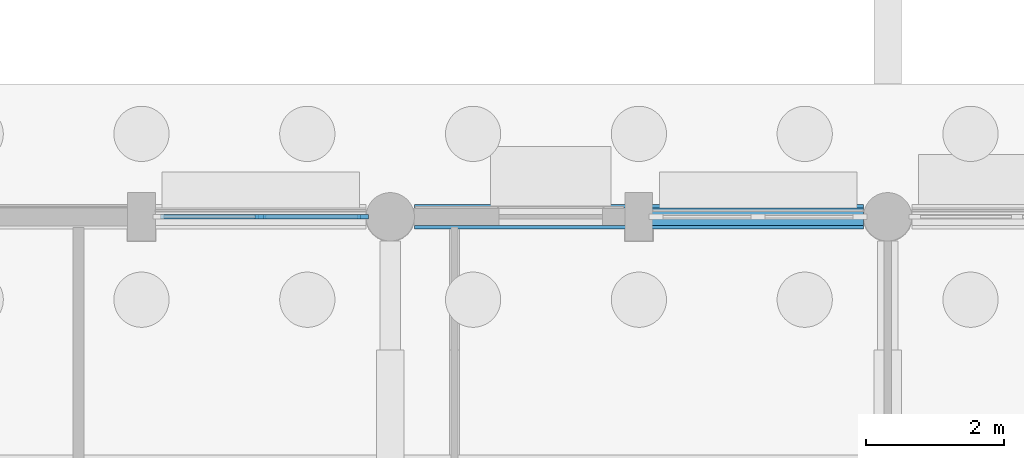
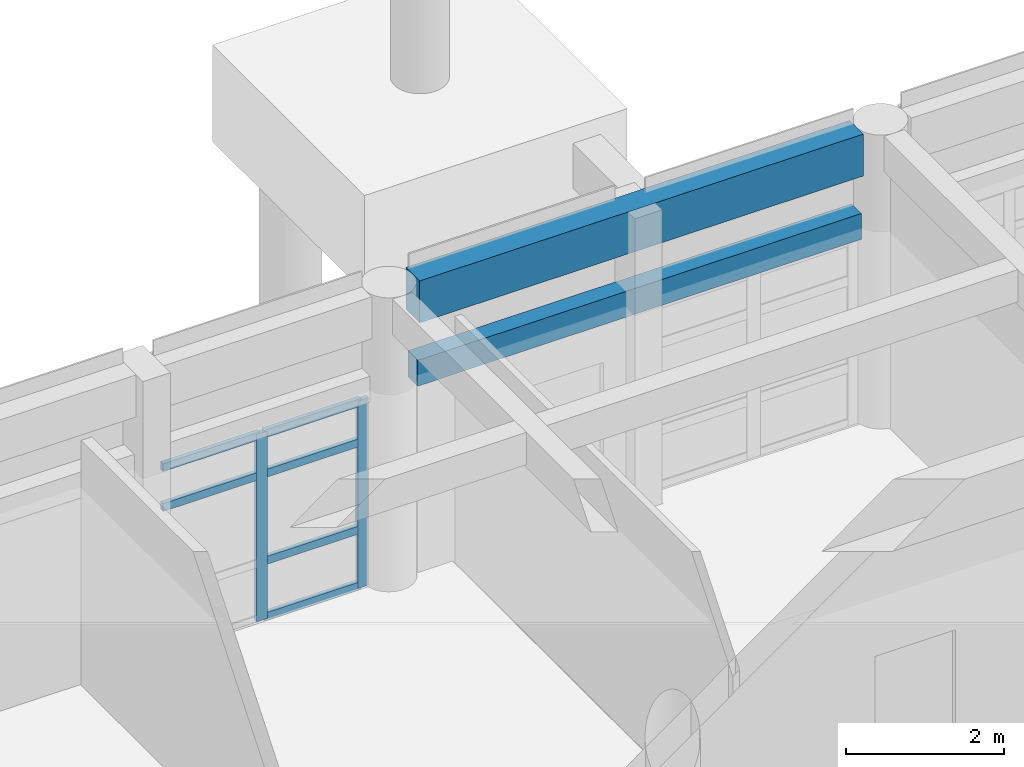
# One storey, part 29 of 103: 8 members, 2 beams, 1 element without a shape of its own.
"""IFC4 building model written with IfcOpenShell, lengths in metres."""

from ifc_helpers import new_model, si_unit, direction, frame, origin, origin_2d, place, context, subcontext, project, spatial, rectangle, extrude, material, layer, layer_set, material_profile, profile_set, type_object, element, aggregate, save


model = new_model("IFC4")

# Units and contexts
model_context = context("Model", 3, precision=1e-05, world=origin(), true_north=direction((0.0, 1.0)))
body_context = subcontext(model_context, "Body", "Model", "MODEL_VIEW")
ifc_project = project(units=[si_unit("LENGTHUNIT", "METRE"), si_unit("AREAUNIT", "SQUARE_METRE"), si_unit("VOLUMEUNIT", "CUBIC_METRE"), si_unit("PLANEANGLEUNIT", "RADIAN"), si_unit("MASSUNIT", "GRAM", prefix="KILO")], contexts=[model_context])

# Site, building, storey
site_placement = place(None, origin())
site = spatial("IfcSite", under=ifc_project, at=site_placement, CompositionType="ELEMENT")
building_placement = place(site_placement, origin())
building = spatial("IfcBuilding", under=site, at=building_placement, Name="Namkhue Oval Health Centre", CompositionType="ELEMENT")
storey_placement = place(building_placement, origin())
storey = spatial("IfcBuildingStorey", under=building, at=storey_placement, Name="L00", CompositionType="ELEMENT", Elevation=0.0)

# Curtain wall, members
ifc_material_1 = material(Name="Anodised aluminium EN AW-6063 T6", Category="aluminium")
ifc_layer = layer(ifc_material_1, 0.159912109375)
ifc_layer_set = layer_set([ifc_layer], Name="Anodised aluminium EN AW-6063 T6")
curtain_wall_type = type_object("IfcCurtainWallType", Name="UNITISED CURTAIN WALL M1800", PredefinedType="NOTDEFINED", material=ifc_layer_set)
curtain_wall_placement = place(storey_placement, origin())
curtain_wall = element("IfcCurtainWall", 1, at=curtain_wall_placement, inside=storey, type_object=curtain_wall_type, Name="Volume V2 L00 Unitised Curtain Wall 41", PredefinedType="NOTDEFINED")
ifc_material_profile_1 = material_profile(ifc_material_1, rectangle(XDim=0.06494140625, YDim=0.159912109375, at=origin_2d()), Name="ALU 65x160")
ifc_profile_set_1 = profile_set([ifc_material_profile_1], Name="Anodised aluminium EN AW-6063 T6")
member_type_1 = type_object("IfcMemberType", Name="CURTAIN WALL MULLION 65X160", PredefinedType="MULLION", material=ifc_profile_set_1)
member_1_placement = place(storey_placement, frame((64.407470703125, 104.39990234375, 0.0), z_axis=(0.0, 0.0, 1.0), x_axis=(0.0, -1.0, 0.0)))
member_1 = element("IfcMember", 2, at=member_1_placement, type_object=member_type_1, Name="CW-05 mullion 1", PredefinedType="MULLION", context=body_context, shape_type="SweptSolid", body=[
    extrude(rectangle(XDim=0.06494140625, YDim=0.159912109375, at=origin_2d()), origin(), (0.0, 0.0, 1.0), 2.89990234375),
])
member_2_placement = place(storey_placement, frame((62.925537109375, 104.39990234375, 0.0), z_axis=(0.0, 0.0, 1.0), x_axis=(0.0, -1.0, 0.0)))
member_2 = element("IfcMember", 3, at=member_2_placement, type_object=member_type_1, Name="CW-05 mullion 2", PredefinedType="MULLION", context=body_context, shape_type="SweptSolid", body=[
    extrude(rectangle(XDim=0.06494140625, YDim=0.159912109375, at=origin_2d()), origin(), (0.0, 0.0, 1.0), 2.89990234375),
])
ifc_material_profile_2 = material_profile(ifc_material_1, rectangle(XDim=0.06494140625, YDim=0.1201171875, at=origin_2d()), Name="ALU 65x120")
ifc_profile_set_2 = profile_set([ifc_material_profile_2], Name="Anodised aluminium EN AW-6063 T6")
member_type_2 = type_object("IfcMemberType", Name="CURTAIN WALL TRANSOM 65X120", PredefinedType="USERDEFINED", material=ifc_profile_set_2)
member_3_placement = place(storey_placement, frame((64.375, 104.39990234375, 0.032470703125), z_axis=(-1.0, 0.0, 0.0), x_axis=(0.0, -1.0, 0.0)))
member_3 = element("IfcMember", 4, at=member_3_placement, type_object=member_type_2, Name="CW-05 transom 1.1", ObjectType="TRANSOM", PredefinedType="USERDEFINED", context=body_context, shape_type="SweptSolid", body=[
    extrude(rectangle(XDim=0.06494140625, YDim=0.1201171875, at=origin_2d()), origin(), (0.0, 0.0, 1.0), 1.4169921875),
])
member_4_placement = place(storey_placement, frame((64.375, 104.39990234375, 0.89990234375), z_axis=(-1.0, 0.0, 0.0), x_axis=(0.0, -1.0, 0.0)))
member_4 = element("IfcMember", 5, at=member_4_placement, type_object=member_type_2, Name="CW-05 transom 1.2", ObjectType="TRANSOM", PredefinedType="USERDEFINED", context=body_context, shape_type="SweptSolid", body=[
    extrude(rectangle(XDim=0.06494140625, YDim=0.1201171875, at=origin_2d()), origin(), (0.0, 0.0, 1.0), 1.4169921875),
])
member_5_placement = place(storey_placement, frame((64.375, 104.39990234375, 2.25), z_axis=(-1.0, 0.0, 0.0), x_axis=(0.0, -1.0, 0.0)))
member_5 = element("IfcMember", 6, at=member_5_placement, type_object=member_type_2, Name="CW-05 transom 1.3", ObjectType="TRANSOM", PredefinedType="USERDEFINED", context=body_context, shape_type="SweptSolid", body=[
    extrude(rectangle(XDim=0.06494140625, YDim=0.1201171875, at=origin_2d()), origin(), (0.0, 0.0, 1.0), 1.4169921875),
])
member_6_placement = place(storey_placement, frame((64.375, 104.39990234375, 2.867431640625), z_axis=(-1.0, 0.0, 0.0), x_axis=(0.0, -1.0, 0.0)))
member_6 = element("IfcMember", 7, at=member_6_placement, type_object=member_type_2, Name="CW-05 transom 1.4", ObjectType="TRANSOM", PredefinedType="USERDEFINED", context=body_context, shape_type="SweptSolid", body=[
    extrude(rectangle(XDim=0.06494140625, YDim=0.1201171875, at=origin_2d()), origin(), (0.0, 0.0, 1.0), 1.4169921875),
])
member_7_placement = place(storey_placement, frame((62.89306640625, 104.39990234375, 2.25), z_axis=(-1.0, 0.0, 0.0), x_axis=(0.0, -1.0, 0.0)))
member_7 = element("IfcMember", 8, at=member_7_placement, type_object=member_type_2, Name="CW-05 transom 2.3", ObjectType="TRANSOM", PredefinedType="USERDEFINED", context=body_context, shape_type="SweptSolid", body=[
    extrude(rectangle(XDim=0.06494140625, YDim=0.1201171875, at=origin_2d()), origin(), (0.0, 0.0, 1.0), 1.4169921875),
])
member_8_placement = place(storey_placement, frame((62.89306640625, 104.39990234375, 2.867431640625), z_axis=(-1.0, 0.0, 0.0), x_axis=(0.0, -1.0, 0.0)))
member_8 = element("IfcMember", 9, at=member_8_placement, type_object=member_type_2, Name="CW-05 transom 2.4", ObjectType="TRANSOM", PredefinedType="USERDEFINED", context=body_context, shape_type="SweptSolid", body=[
    extrude(rectangle(XDim=0.06494140625, YDim=0.1201171875, at=origin_2d()), origin(), (0.0, 0.0, 1.0), 1.4169921875),
])
aggregate(curtain_wall, [member_1, member_2, member_3, member_4, member_5, member_6, member_7, member_8])

# Beams
ifc_material_2 = material(Name="Reinforced concrete C30/37 (TCVN B35)", Category="concrete")
ifc_material_profile_3 = material_profile(ifc_material_2, rectangle(XDim=0.25, YDim=0.39990234375, at=origin_2d()), Name="RC 250x400")
ifc_profile_set_3 = profile_set([ifc_material_profile_3], Name="Reinforced concrete C30/37 (TCVN B35)")
beam_type_1 = type_object("IfcBeamType", Name="OPENING LINTEL BEAM 250X400", PredefinedType="LINTEL", material=ifc_profile_set_3)
beam_1_placement = place(storey_placement, frame((65.14990234375, 104.39990234375, 3.10009765625), z_axis=(1.0, 0.0, 0.0), x_axis=(0.0, 1.0, 0.0)))
element("IfcBeam", 10, at=beam_1_placement, inside=storey, type_object=beam_type_1, Name="Volume V2 L00 Portal Lintel Beam 2", PredefinedType="LINTEL", context=body_context, shape_type="SweptSolid", body=[
    extrude(rectangle(XDim=0.25, YDim=0.39990234375, at=origin_2d()), origin(), (0.0, 0.0, 1.0), 6.5),
])
ifc_material_3 = material(Name="Reinforced concrete C35/45 (TCVN B40)", Category="concrete")
ifc_material_profile_4 = material_profile(ifc_material_3, rectangle(XDim=0.35009765625, YDim=0.64990234375, at=origin_2d()), Name="RC 350x650")
ifc_profile_set_4 = profile_set([ifc_material_profile_4], Name="Reinforced concrete C35/45 (TCVN B40)")
beam_type_2 = type_object("IfcBeamType", Name="PERIMETER SPANDREL BEAM 350X650", PredefinedType="SPANDREL", material=ifc_profile_set_4)
beam_2_placement = place(storey_placement, frame((65.14990234375, 104.39990234375, 4.235107421875), z_axis=(1.0, 0.0, 0.0), x_axis=(0.0, 1.0, 0.0)))
element("IfcBeam", 11, at=beam_2_placement, inside=storey, type_object=beam_type_2, Name="Volume V2 L01 Girder P/10-11", PredefinedType="SPANDREL", context=body_context, shape_type="SweptSolid", body=[
    extrude(rectangle(XDim=0.35009765625, YDim=0.64990234375, at=origin_2d()), origin(), (0.0, 0.0, 1.0), 6.5),
])

save(model, "model.ifc")
